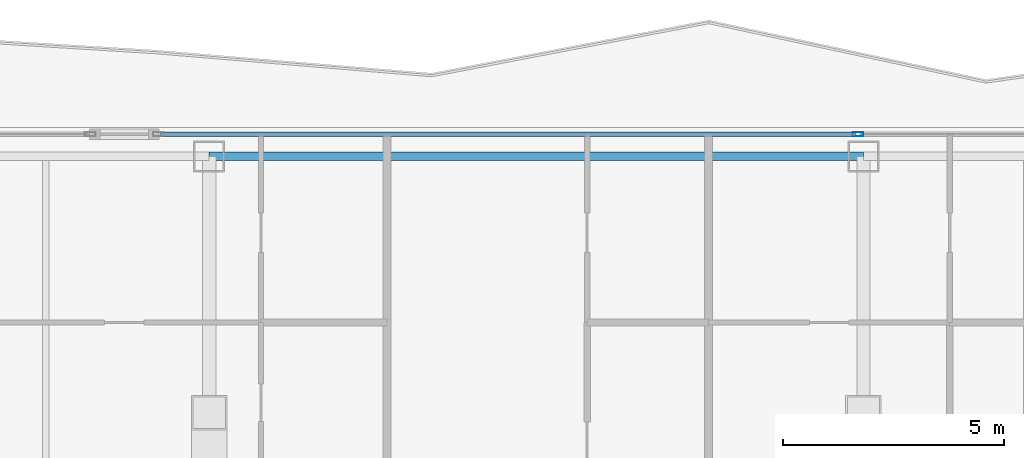
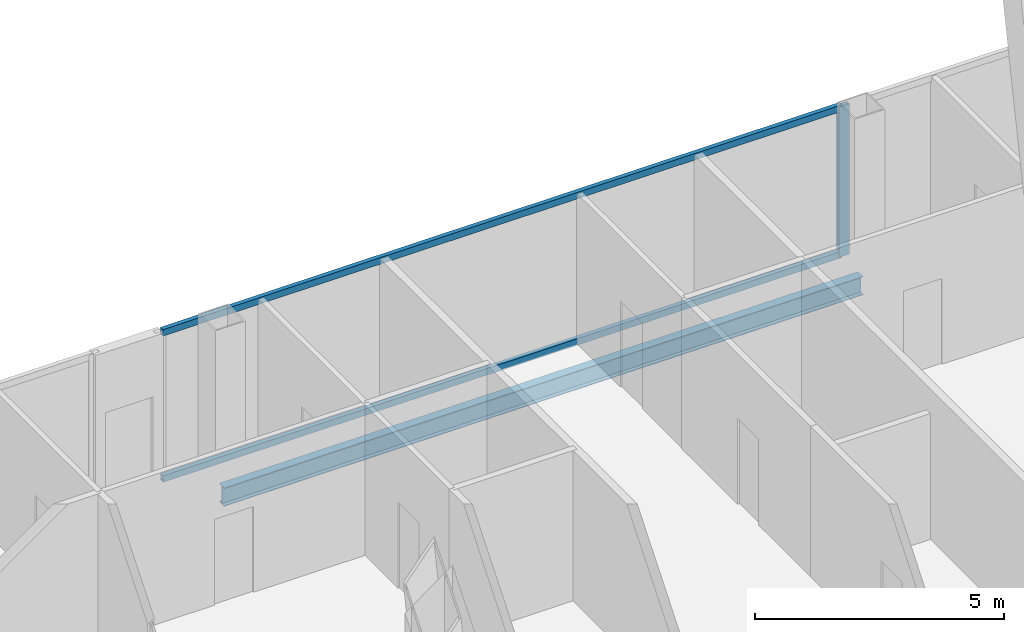
# One storey, part 17 of 28: 3 members, 1 beam, 1 element without a shape of its own.
"""IFC4 building model written with IfcOpenShell, lengths in metres."""

from ifc_helpers import new_model, si_unit, direction, frame, origin, origin_2d, place, context, subcontext, project, spatial, hollow_rectangle, i_section, extrude, material, layer, layer_set, material_profile, profile_set, type_object, element, aggregate, save


model = new_model("IFC4")

# Units and contexts
model_context = context("Model", 3, precision=1e-05, world=origin(), true_north=direction((0.0, 1.0)))
body_context = subcontext(model_context, "Body", "Model", "MODEL_VIEW")
ifc_project = project(units=[si_unit("LENGTHUNIT", "METRE"), si_unit("AREAUNIT", "SQUARE_METRE"), si_unit("VOLUMEUNIT", "CUBIC_METRE"), si_unit("PLANEANGLEUNIT", "RADIAN"), si_unit("MASSUNIT", "GRAM", prefix="KILO")], contexts=[model_context])

# Site, building, storey
site_placement = place(None, origin())
site = spatial("IfcSite", under=ifc_project, at=site_placement, CompositionType="ELEMENT")
building_placement = place(site_placement, origin())
building = spatial("IfcBuilding", under=site, at=building_placement, Name="Khorvyn Point Tower", CompositionType="ELEMENT")
storey_placement = place(building_placement, frame((0.0, 0.0, 121.199951171875)))
storey = spatial("IfcBuildingStorey", under=building, at=storey_placement, Name="L30", CompositionType="ELEMENT", Elevation=121.199951171875)

# Curtain wall, members
ifc_material_1 = material(Name="Anodised aluminium 6063-T6 and laminated Low-E glass", Category="aluminium")
ifc_layer = layer(ifc_material_1, 0.18994140625)
ifc_layer_set = layer_set([ifc_layer], Name="Stick-Built Acoustic Curtain Wall CW-SYS-03")
curtain_wall_type = type_object("IfcCurtainWallType", Name="Stick-Built Acoustic Curtain Wall CW-SYS-03", PredefinedType="NOTDEFINED", material=ifc_layer_set)
curtain_wall_placement = place(storey_placement, origin())
curtain_wall = element("IfcCurtainWall", 1, at=curtain_wall_placement, inside=storey, type_object=curtain_wall_type, Name="Curtain Wall", PredefinedType="NOTDEFINED")
ifc_material_2 = material(Name="Anodised aluminium 6063-T6", Category="aluminium")
ifc_material_profile_1 = material_profile(ifc_material_2, hollow_rectangle(XDim=0.10009765625, YDim=0.239990234375, WallThickness=0.0048828125, at=origin_2d()))
ifc_profile_set_1 = profile_set([ifc_material_profile_1], Name="Anodised aluminium 6063-T6 ALU-MUL-100x240")
member_type_1 = type_object("IfcMemberType", Name="Anodised Aluminium 6063-T6 Mullion ALU-MUL-100x240", PredefinedType="MULLION", material=ifc_profile_set_1)
member_1_placement = place(storey_placement, frame((7.275390625, 29.449951171875, 0.0), z_axis=(0.0, 0.0, 1.0), x_axis=(0.0, 1.0, 0.0)))
member_1 = element("IfcMember", 2, at=member_1_placement, type_object=member_type_1, Name="Transom", PredefinedType="MULLION", context=body_context, shape_type="SweptSolid", body=[
    extrude(hollow_rectangle(XDim=0.10009765625, YDim=0.239990234375, WallThickness=0.0048828125, at=origin_2d()), origin(), (0.0, 0.0, 1.0), 3.679931640625),
])
ifc_material_profile_2 = material_profile(ifc_material_2, hollow_rectangle(XDim=0.10009765625, YDim=0.159912109375, WallThickness=0.00439453125, at=origin_2d()))
ifc_profile_set_2 = profile_set([ifc_material_profile_2], Name="Anodised aluminium 6063-T6 ALU-TRN-100x160")
member_type_2 = type_object("IfcMemberType", Name="Anodised Aluminium 6063-T6 Transom ALU-TRN-100x160", PredefinedType="USERDEFINED", material=ifc_profile_set_2)
member_2_placement = place(storey_placement, frame((-8.4990234375, 29.449951171875, 0.050048828125), z_axis=(1.0, 0.0, 0.0), x_axis=(0.0, 1.0, 0.0)))
member_2 = element("IfcMember", 3, at=member_2_placement, type_object=member_type_2, Name="Transom", ObjectType="TRANSOM", PredefinedType="USERDEFINED", context=body_context, shape_type="SweptSolid", body=[
    extrude(hollow_rectangle(XDim=0.10009765625, YDim=0.159912109375, WallThickness=0.00439453125, at=origin_2d()), origin(), (0.0, 0.0, 1.0), 15.724609375),
])
member_3_placement = place(storey_placement, frame((-8.4990234375, 29.449951171875, 3.630126953125), z_axis=(1.0, 0.0, 0.0), x_axis=(0.0, 1.0, 0.0)))
member_3 = element("IfcMember", 4, at=member_3_placement, type_object=member_type_2, Name="Transom", ObjectType="TRANSOM", PredefinedType="USERDEFINED", context=body_context, shape_type="SweptSolid", body=[
    extrude(hollow_rectangle(XDim=0.10009765625, YDim=0.159912109375, WallThickness=0.00439453125, at=origin_2d()), origin(), (0.0, 0.0, 1.0), 15.724609375),
])
aggregate(curtain_wall, [member_1, member_2, member_3])

# Beam
ifc_material_3 = material(Name="Steel S355", Category="steel")
ifc_material_profile_3 = material_profile(ifc_material_3, i_section(OverallWidth=0.199951171875, OverallDepth=0.449951171875, WebThickness=0.009033203125, FlangeThickness=0.013916015625, at=origin_2d()))
ifc_profile_set_3 = profile_set([ifc_material_profile_3], Name="Steel S355 H450x200x9x14")
beam_type = type_object("IfcBeamType", Name="Steel S355 Spandrel H450x200x9x14", PredefinedType="SPANDREL", material=ifc_profile_set_3)
beam_placement = place(storey_placement, frame((-7.39990234375, 28.949951171875, -0.445068359375), z_axis=(1.0, 0.0, 0.0), x_axis=(0.0, 1.0, 0.0)))
element("IfcBeam", 5, at=beam_placement, inside=storey, type_object=beam_type, Name="Beam", PredefinedType="SPANDREL", context=body_context, shape_type="SweptSolid", body=[
    extrude(i_section(OverallWidth=0.199951171875, OverallDepth=0.449951171875, WebThickness=0.009033203125, FlangeThickness=0.013916015625, at=origin_2d()), origin(), (0.0, 0.0, 1.0), 14.7998046875),
])

save(model, "model.ifc")
